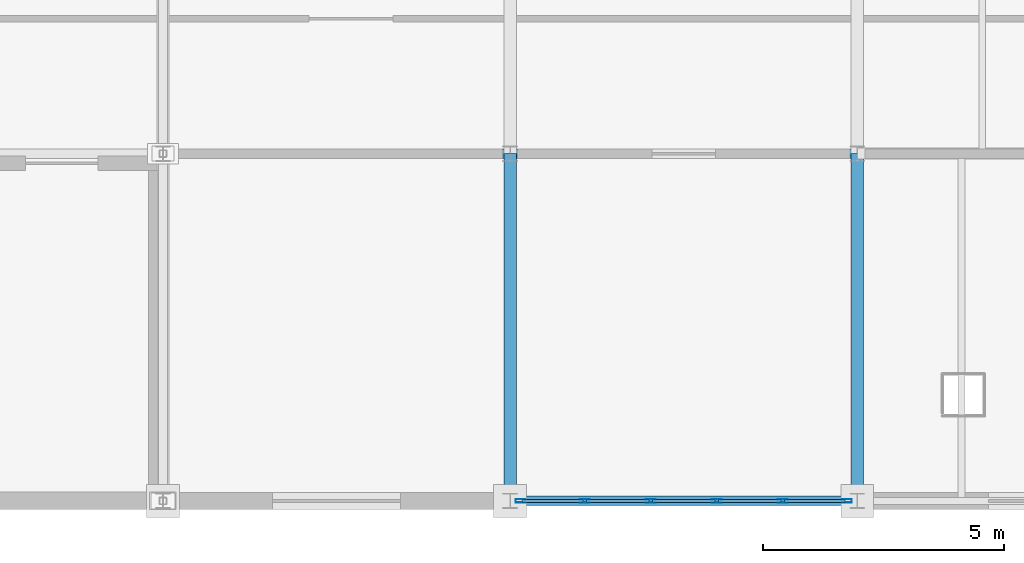
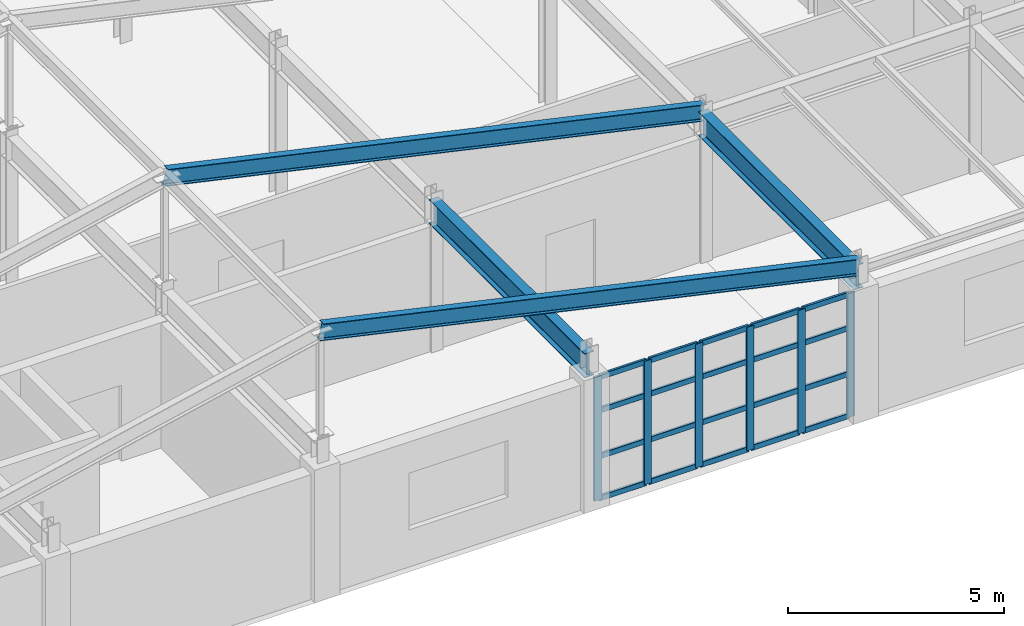
# One storey, part 77 of 137: 26 members, 4 beams, 1 element without a shape of its own.
"""IFC4 building model written with IfcOpenShell, lengths in metres."""

import ifcopenshell
import ifcopenshell.guid

model = None  # the IFC model being written
_history = None  # IfcOwnerHistory: only IFC2X3 demands one
_inside = {}  # id of a spatial element -> (the spatial element, [elements in it])
_under = {}  # id of a project, library or spatial element -> (it, [spatial elements below it])
_declared = {}  # id of a project -> (the project, [libraries it declares])
_typed = {}  # id of a type object -> (the type object, [elements of that type])
_made_of = {}  # id of a material, layer set ... -> (it, [elements and type objects made of it])


def new_model(schema):
    """Start an empty IFC model of exactly this schema.

    Asked for "IFC4X3", IfcOpenShell would pick the latest addendum, in which some entities
    have other attributes; the version numbers below select the first issue.
    IFC2X3 requires an IfcOwnerHistory on every rooted entity: one is made here for all.
    """
    global model, _history
    if schema == "IFC4X3":
        model = ifcopenshell.file(schema_version=(4, 3, 0, 0))
    else:
        model = ifcopenshell.file(schema=schema)
    _inside.clear()
    _under.clear()
    _declared.clear()
    _typed.clear()
    _made_of.clear()
    _history = None
    if model.schema == "IFC2X3":
        org = make("IfcOrganization", Name="unknown")
        user = make(
            "IfcPersonAndOrganization",
            ThePerson=make("IfcPerson", FamilyName="unknown"),
            TheOrganization=org,
        )
        app = make(
            "IfcApplication",
            ApplicationDeveloper=org,
            Version="unknown",
            ApplicationFullName="unknown",
            ApplicationIdentifier="unknown",
        )
        _history = make(
            "IfcOwnerHistory",
            OwningUser=user,
            OwningApplication=app,
            ChangeAction="ADDED",
            CreationDate=0,
        )
    return model


def make(cls, **values):
    """One entity of the class cls with the attributes given. An attribute that is None is left unset."""
    return model.create_entity(
        cls, **{name: value for name, value in values.items() if value is not None}
    )


def rooted(cls, **values):
    """An entity with a GlobalId (a new one), such as an element, a storey or a relation."""
    return make(cls, GlobalId=ifcopenshell.guid.new(), OwnerHistory=_history, **values)


def si_unit(unit_type, name, prefix=None):
    """IfcSIUnit, for example si_unit("LENGTHUNIT", "METRE", prefix="MILLI")."""
    return make("IfcSIUnit", UnitType=unit_type, Prefix=prefix, Name=name)


def assignment(units):
    """IfcUnitAssignment: the units of a project."""
    return None if units is None else make("IfcUnitAssignment", Units=units)


def point(xyz):
    """IfcCartesianPoint."""
    return None if xyz is None else make("IfcCartesianPoint", Coordinates=xyz)


def direction(xyz):
    """IfcDirection."""
    return None if xyz is None else make("IfcDirection", DirectionRatios=xyz)


def frame(location, z_axis=None, x_axis=None):
    """IfcAxis2Placement3D, a coordinate frame: its origin and axes. An axis left out is left unset."""
    return make(
        "IfcAxis2Placement3D",
        Location=point(location),
        Axis=direction(z_axis),
        RefDirection=direction(x_axis),
    )


def frame_2d(location, x_axis=None):
    """IfcAxis2Placement2D, a coordinate frame in the plane: its origin and x axis."""
    return make(
        "IfcAxis2Placement2D", Location=point(location), RefDirection=direction(x_axis)
    )


def origin():
    """The frame at (0, 0, 0) with its axes left unset."""
    return frame((0.0, 0.0, 0.0))


def origin_2d():
    """The frame at (0, 0) in the plane with its x axis left unset."""
    return frame_2d((0.0, 0.0))


def place(relative_to, where):
    """IfcLocalPlacement: puts the frame where relative to a parent placement (None: the world)."""
    return make(
        "IfcLocalPlacement", PlacementRelTo=relative_to, RelativePlacement=where
    )


def context(
    kind, dimensions, precision=None, world=None, true_north=None, identifier=None
):
    """IfcGeometricRepresentationContext, for example the 3D "Model" context."""
    return make(
        "IfcGeometricRepresentationContext",
        ContextIdentifier=identifier,
        ContextType=kind,
        CoordinateSpaceDimension=dimensions,
        Precision=precision,
        WorldCoordinateSystem=world,
        TrueNorth=true_north,
    )


def subcontext(parent, identifier, kind, view, scale=None):
    """IfcGeometricRepresentationSubContext, for example "Body" below "Model"."""
    return make(
        "IfcGeometricRepresentationSubContext",
        ContextIdentifier=identifier,
        ContextType=kind,
        ParentContext=parent,
        TargetScale=scale,
        TargetView=view,
    )


def project(units=None, contexts=None):
    """IfcProject with its units and contexts."""
    return rooted(
        "IfcProject",
        Name="project",
        RepresentationContexts=contexts,
        UnitsInContext=assignment(units),
    )


def spatial(cls, under=None, at=None, **own):
    """A site, building, storey or space (cls), placed at a placement, below another one or the project."""
    s = rooted(cls, ObjectPlacement=at, **own)
    if under is not None:
        _under.setdefault(under.id(), (under, []))[1].append(s)
    return s


def profile(cls, at=None, kind="AREA", **sizes):
    """A parametric profile (cls). Its sizes go by their IFC names, for example OverallWidth=200.0."""
    return make(cls, ProfileType=kind, Position=at, **sizes)


def hollow_rectangle(**sizes):
    """IfcRectangleHollowProfileDef."""
    return profile("IfcRectangleHollowProfileDef", **sizes)


def i_section(**sizes):
    """IfcIShapeProfileDef."""
    return profile("IfcIShapeProfileDef", **sizes)


def extrude(swept, where, along, depth):
    """IfcExtrudedAreaSolid: the profile swept, set in the frame where, extruded along a direction by depth."""
    return make(
        "IfcExtrudedAreaSolid",
        SweptArea=swept,
        Position=where,
        ExtrudedDirection=direction(along),
        Depth=depth,
    )


def shape(context_of_items, identifier, shape_type, items):
    """IfcShapeRepresentation: the items that make up one representation, for example the "Body"."""
    return make(
        "IfcShapeRepresentation",
        ContextOfItems=context_of_items,
        RepresentationIdentifier=identifier,
        RepresentationType=shape_type,
        Items=items,
    )


def material(Name=None, Category=None):
    """IfcMaterial."""
    return make("IfcMaterial", Name=Name, Category=Category)


def layer(
    of_material, thickness, ventilated=None, Name=None, Category=None, Priority=None
):
    """IfcMaterialLayer: one layer of a wall or slab, of a material (None: an air gap)."""
    return make(
        "IfcMaterialLayer",
        Material=of_material,
        LayerThickness=thickness,
        IsVentilated=ventilated,
        Name=Name,
        Category=Category,
        Priority=Priority,
    )


def layer_set(layers, Name=None):
    """IfcMaterialLayerSet."""
    return make("IfcMaterialLayerSet", MaterialLayers=layers, LayerSetName=Name)


def material_profile(
    of_material, cross_section, Name=None, Category=None, Priority=None
):
    """IfcMaterialProfile: a cross section and its material."""
    return make(
        "IfcMaterialProfile",
        Name=Name,
        Material=of_material,
        Profile=cross_section,
        Priority=Priority,
        Category=Category,
    )


def profile_set(profiles, Name=None, composite=None):
    """IfcMaterialProfileSet."""
    return make(
        "IfcMaterialProfileSet",
        Name=Name,
        MaterialProfiles=profiles,
        CompositeProfile=composite,
    )


def made_of(thing, what):
    """Note that an element or type object is made of a material, layer set ...; save() writes the relation."""
    if what is not None:
        _made_of.setdefault(what.id(), (what, []))[1].append(thing)
    return thing


def type_object(cls, material=None, **own):
    """A type object (cls), such as IfcWallType, which elements share."""
    return made_of(rooted(cls, **own), material)


def element(
    cls,
    number,
    at=None,
    inside=None,
    cuts=None,
    type_object=None,
    material=None,
    context=None,
    identifier="Body",
    shape_type=None,
    held_by="IfcProductDefinitionShape",
    body=None,
    shapes=None,
    **own,
):
    """One element of the class cls, such as IfcWall. Its Tag is "e" and its number.

    at: its placement. inside: the storey or other place that contains it. cuts: it is an
    opening in that element (IfcRelVoidsElement). A single representation is given by context,
    identifier, shape_type and body (its items); several are given by shapes. held_by: the class
    of the entity that holds the representations. save() writes the other relations.
    """
    e = rooted(cls, Tag="e%d" % number, ObjectPlacement=at, **own)
    if body is not None:
        shapes = [shape(context, identifier, shape_type, body)]
    if shapes is not None:
        e.Representation = make(held_by, Representations=shapes)
    if inside is not None:
        _inside.setdefault(inside.id(), (inside, []))[1].append(e)
    if cuts is not None:
        rooted(
            "IfcRelVoidsElement", RelatingBuildingElement=cuts, RelatedOpeningElement=e
        )
    if type_object is not None:
        _typed.setdefault(type_object.id(), (type_object, []))[1].append(e)
    return made_of(e, material)


def aggregate(whole, parts):
    """IfcRelAggregates: a whole, such as a stair, and the parts it consists of."""
    return rooted("IfcRelAggregates", RelatingObject=whole, RelatedObjects=parts)


def save(model, path):
    """Write the relations noted so far, then the file.

    IfcRelAggregates (storeys below a building ...), IfcRelContainedInSpatialStructure (elements
    in a storey), IfcRelDefinesByType, IfcRelAssociatesMaterial and IfcRelDeclares: one each for
    every whole, place, type object, material and project.
    """
    for whole, parts in _under.values():
        aggregate(whole, parts)
    for where, things in _inside.values():
        rooted(
            "IfcRelContainedInSpatialStructure",
            RelatedElements=things,
            RelatingStructure=where,
        )
    for kind, things in _typed.values():
        rooted("IfcRelDefinesByType", RelatedObjects=things, RelatingType=kind)
    for what, things in _made_of.values():
        rooted("IfcRelAssociatesMaterial", RelatedObjects=things, RelatingMaterial=what)
    for by, libraries in _declared.values():
        rooted("IfcRelDeclares", RelatingContext=by, RelatedDefinitions=libraries)
    model.write(path)


model = new_model("IFC4")

# Units and contexts
model_context = context("Model", 3, precision=1e-05, world=origin(), true_north=direction((0.0, 1.0)))
body_context = subcontext(model_context, "Body", "Model", "MODEL_VIEW")
ifc_project = project(units=[si_unit("LENGTHUNIT", "METRE"), si_unit("AREAUNIT", "SQUARE_METRE"), si_unit("VOLUMEUNIT", "CUBIC_METRE"), si_unit("PLANEANGLEUNIT", "RADIAN"), si_unit("MASSUNIT", "GRAM", prefix="KILO")], contexts=[model_context])

# Site, building, storey
site_placement = place(None, origin())
site = spatial("IfcSite", under=ifc_project, at=site_placement, CompositionType="ELEMENT")
building_placement = place(site_placement, origin())
building = spatial("IfcBuilding", under=site, at=building_placement, Name="Kemerveld Promenade Tramway Depot", CompositionType="ELEMENT")
storey_placement = place(building_placement, frame((0.0, 0.0, 5.39990234375)))
storey = spatial("IfcBuildingStorey", under=building, at=storey_placement, Name="L01", CompositionType="ELEMENT", Elevation=5.39990234375)

# Beams
ifc_material_1 = material(Name="Steel S355", Category="steel")
ifc_material_profile_1 = material_profile(ifc_material_1, i_section(OverallWidth=0.25439453125, OverallDepth=0.6875, WebThickness=0.01318359375, FlangeThickness=0.02099609375, FilletRadius=0.01513671875, at=origin_2d()), Name="686x254x152 UB")
ifc_profile_set_1 = profile_set([ifc_material_profile_1], Name="Steel S355")
beam_type_1 = type_object("IfcBeamType", Name="BM-G03", PredefinedType="BEAM", material=ifc_profile_set_1)
for number, where, z_axis, x_axis, name in (
    (1, (180.0, 0.0, 3.896484375), (0.0, 1.0, 0.0), (-1.0, 0.0, 0.0), "BMY-L01-26-A-B"),
    (2, (187.199951171875, 0.0, 3.856201171875), (0.0, 1.0, 0.0), (-1.0, 0.0, 0.0), "BMY-L01-27-A-B"),
):
    element("IfcBeam", number, at=place(storey_placement, frame(where, z_axis=z_axis, x_axis=x_axis)), inside=storey, type_object=beam_type_1, Name=name, PredefinedType="BEAM", context=body_context, shape_type="SweptSolid", body=[
        extrude(i_section(OverallWidth=0.25439453125, OverallDepth=0.6875, WebThickness=0.01318359375, FlangeThickness=0.02099609375, FilletRadius=0.01513671875, at=origin_2d()), origin(), (0.0, 0.0, 1.0), 7.199951171875),
    ])
ifc_material_profile_2 = material_profile(ifc_material_1, i_section(OverallWidth=0.19140625, OverallDepth=0.4599609375, WebThickness=0.010009765625, FlangeThickness=0.01611328125, FilletRadius=0.01025390625, at=origin_2d()), Name="457x191x82 UB")
ifc_profile_set_2 = profile_set([ifc_material_profile_2], Name="Steel S355")
beam_type_2 = type_object("IfcBeamType", Name="BM-G06", PredefinedType="BEAM", material=ifc_profile_set_2)
for number, where, z_axis, x_axis, name in (
    (3, (172.800048828125, 0.0, 7.375), (0.976187449608, 0.0, -0.216928705402), (0.0, 1.0, 0.0), "RAF-V2W-A-B"),
    (4, (172.800048828125, 7.199951171875, 7.375), (0.976187449608, 0.0, -0.216928705402), (0.0, 1.0, 0.0), "RAF-V2W-B-B"),
):
    element("IfcBeam", number, at=place(storey_placement, frame(where, z_axis=z_axis, x_axis=x_axis)), inside=storey, type_object=beam_type_2, Name=name, PredefinedType="BEAM", context=body_context, shape_type="SweptSolid", body=[
        extrude(i_section(OverallWidth=0.19140625, OverallDepth=0.4599609375, WebThickness=0.010009765625, FlangeThickness=0.01611328125, FilletRadius=0.01025390625, at=origin_2d()), origin(), (0.0, 0.0, 1.0), 14.751220703125),
    ])

# Curtain wall, members
ifc_material_2 = material(Name="Bronze anodised aluminium and solar glass", Category="aluminium")
ifc_layer = layer(ifc_material_2, 0.199951171875)
ifc_layer_set = layer_set([ifc_layer], Name="CW-SYS-08")
curtain_wall_type = type_object("IfcCurtainWallType", Name="CW-SYS-08", PredefinedType="USERDEFINED", material=ifc_layer_set)
curtain_wall_placement = place(storey_placement, origin())
curtain_wall = element("IfcCurtainWall", 5, at=curtain_wall_placement, inside=storey, type_object=curtain_wall_type, Name="CW-L01-V2S-05", ObjectType="GLAZED_CURTAIN_WALL", PredefinedType="USERDEFINED")
ifc_material_3 = material(Name="Bronze anodised aluminium", Category="aluminium")
ifc_material_profile_3 = material_profile(ifc_material_3, hollow_rectangle(XDim=0.074951171875, YDim=0.199951171875, WallThickness=0.0048828125, InnerFilletRadius=0.001953125, OuterFilletRadius=0.0048828125, at=origin_2d()), Name="CW-MUL-200x75")
ifc_profile_set_3 = profile_set([ifc_material_profile_3], Name="Bronze anodised aluminium")
member_type_1 = type_object("IfcMemberType", Name="CW-MUL-B", PredefinedType="MULLION", material=ifc_profile_set_3)
member_1_placement = place(storey_placement, frame((186.9853515625, 0.0, 0.0), z_axis=(0.0, 0.0, 1.0), x_axis=(0.0, -1.0, 0.0)))
member_1 = element("IfcMember", 6, at=member_1_placement, type_object=member_type_1, Name="CW08 mullion 1", PredefinedType="MULLION", context=body_context, shape_type="SweptSolid", body=[
    extrude(hollow_rectangle(XDim=0.074951171875, YDim=0.199951171875, WallThickness=0.0048828125, InnerFilletRadius=0.001953125, OuterFilletRadius=0.0048828125, at=origin_2d()), origin(), (0.0, 0.0, 1.0), 3.49267578125),
])
member_2_placement = place(storey_placement, frame((185.653564453125, 0.0, 0.0), z_axis=(0.0, 0.0, 1.0), x_axis=(0.0, -1.0, 0.0)))
member_2 = element("IfcMember", 7, at=member_2_placement, type_object=member_type_1, Name="CW08 mullion 2", PredefinedType="MULLION", context=body_context, shape_type="SweptSolid", body=[
    extrude(hollow_rectangle(XDim=0.074951171875, YDim=0.199951171875, WallThickness=0.0048828125, InnerFilletRadius=0.001953125, OuterFilletRadius=0.0048828125, at=origin_2d()), origin(), (0.0, 0.0, 1.0), 3.49267578125),
])
member_3_placement = place(storey_placement, frame((184.28466796875, 0.0, 0.0), z_axis=(0.0, 0.0, 1.0), x_axis=(0.0, -1.0, 0.0)))
member_3 = element("IfcMember", 8, at=member_3_placement, type_object=member_type_1, Name="CW08 mullion 3", PredefinedType="MULLION", context=body_context, shape_type="SweptSolid", body=[
    extrude(hollow_rectangle(XDim=0.074951171875, YDim=0.199951171875, WallThickness=0.0048828125, InnerFilletRadius=0.001953125, OuterFilletRadius=0.0048828125, at=origin_2d()), origin(), (0.0, 0.0, 1.0), 3.49267578125),
])
member_4_placement = place(storey_placement, frame((182.91552734375, 0.0, 0.0), z_axis=(0.0, 0.0, 1.0), x_axis=(0.0, -1.0, 0.0)))
member_4 = element("IfcMember", 9, at=member_4_placement, type_object=member_type_1, Name="CW08 mullion 4", PredefinedType="MULLION", context=body_context, shape_type="SweptSolid", body=[
    extrude(hollow_rectangle(XDim=0.074951171875, YDim=0.199951171875, WallThickness=0.0048828125, InnerFilletRadius=0.001953125, OuterFilletRadius=0.0048828125, at=origin_2d()), origin(), (0.0, 0.0, 1.0), 3.49267578125),
])
member_5_placement = place(storey_placement, frame((181.54638671875, 0.0, 0.0), z_axis=(0.0, 0.0, 1.0), x_axis=(0.0, -1.0, 0.0)))
member_5 = element("IfcMember", 10, at=member_5_placement, type_object=member_type_1, Name="CW08 mullion 5", PredefinedType="MULLION", context=body_context, shape_type="SweptSolid", body=[
    extrude(hollow_rectangle(XDim=0.074951171875, YDim=0.199951171875, WallThickness=0.0048828125, InnerFilletRadius=0.001953125, OuterFilletRadius=0.0048828125, at=origin_2d()), origin(), (0.0, 0.0, 1.0), 3.49267578125),
])
member_6_placement = place(storey_placement, frame((180.214599609375, 0.0, 0.0), z_axis=(0.0, 0.0, 1.0), x_axis=(0.0, -1.0, 0.0)))
member_6 = element("IfcMember", 11, at=member_6_placement, type_object=member_type_1, Name="CW08 mullion 6", PredefinedType="MULLION", context=body_context, shape_type="SweptSolid", body=[
    extrude(hollow_rectangle(XDim=0.074951171875, YDim=0.199951171875, WallThickness=0.0048828125, InnerFilletRadius=0.001953125, OuterFilletRadius=0.0048828125, at=origin_2d()), origin(), (0.0, 0.0, 1.0), 3.49267578125),
])
ifc_material_profile_4 = material_profile(ifc_material_3, hollow_rectangle(XDim=0.06494140625, YDim=0.14990234375, WallThickness=0.00439453125, InnerFilletRadius=0.001953125, OuterFilletRadius=0.00439453125, at=origin_2d()), Name="CW-TRN-150x65")
ifc_profile_set_4 = profile_set([ifc_material_profile_4], Name="Bronze anodised aluminium")
member_type_2 = type_object("IfcMemberType", Name="CW-TRN-B", PredefinedType="USERDEFINED", material=ifc_profile_set_4)
member_7_placement = place(storey_placement, frame((186.94775390625, 0.0, 0.03271484375), z_axis=(-1.0, 0.0, 0.0), x_axis=(0.0, -1.0, 0.0)))
member_7 = element("IfcMember", 12, at=member_7_placement, type_object=member_type_2, Name="CW08 transom 1.1", ObjectType="TRANSOM", PredefinedType="USERDEFINED", context=body_context, shape_type="SweptSolid", body=[
    extrude(hollow_rectangle(XDim=0.06494140625, YDim=0.14990234375, WallThickness=0.00439453125, InnerFilletRadius=0.001953125, OuterFilletRadius=0.00439453125, at=origin_2d()), origin(), (0.0, 0.0, 1.0), 1.256591796875),
])
member_8_placement = place(storey_placement, frame((186.94775390625, 0.0, 1.22216796875), z_axis=(-1.0, 0.0, 0.0), x_axis=(0.0, -1.0, 0.0)))
member_8 = element("IfcMember", 13, at=member_8_placement, type_object=member_type_2, Name="CW08 transom 1.2", ObjectType="TRANSOM", PredefinedType="USERDEFINED", context=body_context, shape_type="SweptSolid", body=[
    extrude(hollow_rectangle(XDim=0.06494140625, YDim=0.14990234375, WallThickness=0.00439453125, InnerFilletRadius=0.001953125, OuterFilletRadius=0.00439453125, at=origin_2d()), origin(), (0.0, 0.0, 1.0), 1.256591796875),
])
member_9_placement = place(storey_placement, frame((186.94775390625, 0.0, 2.51513671875), z_axis=(-1.0, 0.0, 0.0), x_axis=(0.0, -1.0, 0.0)))
member_9 = element("IfcMember", 14, at=member_9_placement, type_object=member_type_2, Name="CW08 transom 1.3", ObjectType="TRANSOM", PredefinedType="USERDEFINED", context=body_context, shape_type="SweptSolid", body=[
    extrude(hollow_rectangle(XDim=0.06494140625, YDim=0.14990234375, WallThickness=0.00439453125, InnerFilletRadius=0.001953125, OuterFilletRadius=0.00439453125, at=origin_2d()), origin(), (0.0, 0.0, 1.0), 1.256591796875),
])
member_10_placement = place(storey_placement, frame((186.94775390625, 0.0, 3.460205078125), z_axis=(-1.0, 0.0, 0.0), x_axis=(0.0, -1.0, 0.0)))
member_10 = element("IfcMember", 15, at=member_10_placement, type_object=member_type_2, Name="CW08 transom 1.4", ObjectType="TRANSOM", PredefinedType="USERDEFINED", context=body_context, shape_type="SweptSolid", body=[
    extrude(hollow_rectangle(XDim=0.06494140625, YDim=0.14990234375, WallThickness=0.00439453125, InnerFilletRadius=0.001953125, OuterFilletRadius=0.00439453125, at=origin_2d()), origin(), (0.0, 0.0, 1.0), 1.256591796875),
])
member_11_placement = place(storey_placement, frame((185.6162109375, 0.0, 0.03271484375), z_axis=(-1.0, 0.0, 0.0), x_axis=(0.0, -1.0, 0.0)))
member_11 = element("IfcMember", 16, at=member_11_placement, type_object=member_type_2, Name="CW08 transom 2.1", ObjectType="TRANSOM", PredefinedType="USERDEFINED", context=body_context, shape_type="SweptSolid", body=[
    extrude(hollow_rectangle(XDim=0.06494140625, YDim=0.14990234375, WallThickness=0.00439453125, InnerFilletRadius=0.001953125, OuterFilletRadius=0.00439453125, at=origin_2d()), origin(), (0.0, 0.0, 1.0), 1.294189453125),
])
member_12_placement = place(storey_placement, frame((185.6162109375, 0.0, 1.22216796875), z_axis=(-1.0, 0.0, 0.0), x_axis=(0.0, -1.0, 0.0)))
member_12 = element("IfcMember", 17, at=member_12_placement, type_object=member_type_2, Name="CW08 transom 2.2", ObjectType="TRANSOM", PredefinedType="USERDEFINED", context=body_context, shape_type="SweptSolid", body=[
    extrude(hollow_rectangle(XDim=0.06494140625, YDim=0.14990234375, WallThickness=0.00439453125, InnerFilletRadius=0.001953125, OuterFilletRadius=0.00439453125, at=origin_2d()), origin(), (0.0, 0.0, 1.0), 1.294189453125),
])
member_13_placement = place(storey_placement, frame((185.6162109375, 0.0, 2.51513671875), z_axis=(-1.0, 0.0, 0.0), x_axis=(0.0, -1.0, 0.0)))
member_13 = element("IfcMember", 18, at=member_13_placement, type_object=member_type_2, Name="CW08 transom 2.3", ObjectType="TRANSOM", PredefinedType="USERDEFINED", context=body_context, shape_type="SweptSolid", body=[
    extrude(hollow_rectangle(XDim=0.06494140625, YDim=0.14990234375, WallThickness=0.00439453125, InnerFilletRadius=0.001953125, OuterFilletRadius=0.00439453125, at=origin_2d()), origin(), (0.0, 0.0, 1.0), 1.294189453125),
])
member_14_placement = place(storey_placement, frame((185.6162109375, 0.0, 3.460205078125), z_axis=(-1.0, 0.0, 0.0), x_axis=(0.0, -1.0, 0.0)))
member_14 = element("IfcMember", 19, at=member_14_placement, type_object=member_type_2, Name="CW08 transom 2.4", ObjectType="TRANSOM", PredefinedType="USERDEFINED", context=body_context, shape_type="SweptSolid", body=[
    extrude(hollow_rectangle(XDim=0.06494140625, YDim=0.14990234375, WallThickness=0.00439453125, InnerFilletRadius=0.001953125, OuterFilletRadius=0.00439453125, at=origin_2d()), origin(), (0.0, 0.0, 1.0), 1.294189453125),
])
member_15_placement = place(storey_placement, frame((184.2470703125, 0.0, 0.03271484375), z_axis=(-1.0, 0.0, 0.0), x_axis=(0.0, -1.0, 0.0)))
member_15 = element("IfcMember", 20, at=member_15_placement, type_object=member_type_2, Name="CW08 transom 3.1", ObjectType="TRANSOM", PredefinedType="USERDEFINED", context=body_context, shape_type="SweptSolid", body=[
    extrude(hollow_rectangle(XDim=0.06494140625, YDim=0.14990234375, WallThickness=0.00439453125, InnerFilletRadius=0.001953125, OuterFilletRadius=0.00439453125, at=origin_2d()), origin(), (0.0, 0.0, 1.0), 1.294189453125),
])
member_16_placement = place(storey_placement, frame((184.2470703125, 0.0, 1.22216796875), z_axis=(-1.0, 0.0, 0.0), x_axis=(0.0, -1.0, 0.0)))
member_16 = element("IfcMember", 21, at=member_16_placement, type_object=member_type_2, Name="CW08 transom 3.2", ObjectType="TRANSOM", PredefinedType="USERDEFINED", context=body_context, shape_type="SweptSolid", body=[
    extrude(hollow_rectangle(XDim=0.06494140625, YDim=0.14990234375, WallThickness=0.00439453125, InnerFilletRadius=0.001953125, OuterFilletRadius=0.00439453125, at=origin_2d()), origin(), (0.0, 0.0, 1.0), 1.294189453125),
])
member_17_placement = place(storey_placement, frame((184.2470703125, 0.0, 2.51513671875), z_axis=(-1.0, 0.0, 0.0), x_axis=(0.0, -1.0, 0.0)))
member_17 = element("IfcMember", 22, at=member_17_placement, type_object=member_type_2, Name="CW08 transom 3.3", ObjectType="TRANSOM", PredefinedType="USERDEFINED", context=body_context, shape_type="SweptSolid", body=[
    extrude(hollow_rectangle(XDim=0.06494140625, YDim=0.14990234375, WallThickness=0.00439453125, InnerFilletRadius=0.001953125, OuterFilletRadius=0.00439453125, at=origin_2d()), origin(), (0.0, 0.0, 1.0), 1.294189453125),
])
member_18_placement = place(storey_placement, frame((184.2470703125, 0.0, 3.460205078125), z_axis=(-1.0, 0.0, 0.0), x_axis=(0.0, -1.0, 0.0)))
member_18 = element("IfcMember", 23, at=member_18_placement, type_object=member_type_2, Name="CW08 transom 3.4", ObjectType="TRANSOM", PredefinedType="USERDEFINED", context=body_context, shape_type="SweptSolid", body=[
    extrude(hollow_rectangle(XDim=0.06494140625, YDim=0.14990234375, WallThickness=0.00439453125, InnerFilletRadius=0.001953125, OuterFilletRadius=0.00439453125, at=origin_2d()), origin(), (0.0, 0.0, 1.0), 1.294189453125),
])
member_19_placement = place(storey_placement, frame((182.8779296875, 0.0, 0.03271484375), z_axis=(-1.0, 0.0, 0.0), x_axis=(0.0, -1.0, 0.0)))
member_19 = element("IfcMember", 24, at=member_19_placement, type_object=member_type_2, Name="CW08 transom 4.1", ObjectType="TRANSOM", PredefinedType="USERDEFINED", context=body_context, shape_type="SweptSolid", body=[
    extrude(hollow_rectangle(XDim=0.06494140625, YDim=0.14990234375, WallThickness=0.00439453125, InnerFilletRadius=0.001953125, OuterFilletRadius=0.00439453125, at=origin_2d()), origin(), (0.0, 0.0, 1.0), 1.294189453125),
])
member_20_placement = place(storey_placement, frame((182.8779296875, 0.0, 1.22216796875), z_axis=(-1.0, 0.0, 0.0), x_axis=(0.0, -1.0, 0.0)))
member_20 = element("IfcMember", 25, at=member_20_placement, type_object=member_type_2, Name="CW08 transom 4.2", ObjectType="TRANSOM", PredefinedType="USERDEFINED", context=body_context, shape_type="SweptSolid", body=[
    extrude(hollow_rectangle(XDim=0.06494140625, YDim=0.14990234375, WallThickness=0.00439453125, InnerFilletRadius=0.001953125, OuterFilletRadius=0.00439453125, at=origin_2d()), origin(), (0.0, 0.0, 1.0), 1.294189453125),
])
member_21_placement = place(storey_placement, frame((182.8779296875, 0.0, 2.51513671875), z_axis=(-1.0, 0.0, 0.0), x_axis=(0.0, -1.0, 0.0)))
member_21 = element("IfcMember", 26, at=member_21_placement, type_object=member_type_2, Name="CW08 transom 4.3", ObjectType="TRANSOM", PredefinedType="USERDEFINED", context=body_context, shape_type="SweptSolid", body=[
    extrude(hollow_rectangle(XDim=0.06494140625, YDim=0.14990234375, WallThickness=0.00439453125, InnerFilletRadius=0.001953125, OuterFilletRadius=0.00439453125, at=origin_2d()), origin(), (0.0, 0.0, 1.0), 1.294189453125),
])
member_22_placement = place(storey_placement, frame((182.8779296875, 0.0, 3.460205078125), z_axis=(-1.0, 0.0, 0.0), x_axis=(0.0, -1.0, 0.0)))
member_22 = element("IfcMember", 27, at=member_22_placement, type_object=member_type_2, Name="CW08 transom 4.4", ObjectType="TRANSOM", PredefinedType="USERDEFINED", context=body_context, shape_type="SweptSolid", body=[
    extrude(hollow_rectangle(XDim=0.06494140625, YDim=0.14990234375, WallThickness=0.00439453125, InnerFilletRadius=0.001953125, OuterFilletRadius=0.00439453125, at=origin_2d()), origin(), (0.0, 0.0, 1.0), 1.294189453125),
])
member_23_placement = place(storey_placement, frame((181.5087890625, 0.0, 0.03271484375), z_axis=(-1.0, 0.0, 0.0), x_axis=(0.0, -1.0, 0.0)))
member_23 = element("IfcMember", 28, at=member_23_placement, type_object=member_type_2, Name="CW08 transom 5.1", ObjectType="TRANSOM", PredefinedType="USERDEFINED", context=body_context, shape_type="SweptSolid", body=[
    extrude(hollow_rectangle(XDim=0.06494140625, YDim=0.14990234375, WallThickness=0.00439453125, InnerFilletRadius=0.001953125, OuterFilletRadius=0.00439453125, at=origin_2d()), origin(), (0.0, 0.0, 1.0), 1.256591796875),
])
member_24_placement = place(storey_placement, frame((181.5087890625, 0.0, 1.22216796875), z_axis=(-1.0, 0.0, 0.0), x_axis=(0.0, -1.0, 0.0)))
member_24 = element("IfcMember", 29, at=member_24_placement, type_object=member_type_2, Name="CW08 transom 5.2", ObjectType="TRANSOM", PredefinedType="USERDEFINED", context=body_context, shape_type="SweptSolid", body=[
    extrude(hollow_rectangle(XDim=0.06494140625, YDim=0.14990234375, WallThickness=0.00439453125, InnerFilletRadius=0.001953125, OuterFilletRadius=0.00439453125, at=origin_2d()), origin(), (0.0, 0.0, 1.0), 1.256591796875),
])
member_25_placement = place(storey_placement, frame((181.5087890625, 0.0, 2.51513671875), z_axis=(-1.0, 0.0, 0.0), x_axis=(0.0, -1.0, 0.0)))
member_25 = element("IfcMember", 30, at=member_25_placement, type_object=member_type_2, Name="CW08 transom 5.3", ObjectType="TRANSOM", PredefinedType="USERDEFINED", context=body_context, shape_type="SweptSolid", body=[
    extrude(hollow_rectangle(XDim=0.06494140625, YDim=0.14990234375, WallThickness=0.00439453125, InnerFilletRadius=0.001953125, OuterFilletRadius=0.00439453125, at=origin_2d()), origin(), (0.0, 0.0, 1.0), 1.256591796875),
])
member_26_placement = place(storey_placement, frame((181.5087890625, 0.0, 3.460205078125), z_axis=(-1.0, 0.0, 0.0), x_axis=(0.0, -1.0, 0.0)))
member_26 = element("IfcMember", 31, at=member_26_placement, type_object=member_type_2, Name="CW08 transom 5.4", ObjectType="TRANSOM", PredefinedType="USERDEFINED", context=body_context, shape_type="SweptSolid", body=[
    extrude(hollow_rectangle(XDim=0.06494140625, YDim=0.14990234375, WallThickness=0.00439453125, InnerFilletRadius=0.001953125, OuterFilletRadius=0.00439453125, at=origin_2d()), origin(), (0.0, 0.0, 1.0), 1.256591796875),
])
aggregate(curtain_wall, [member_1, member_2, member_3, member_4, member_5, member_6, member_7, member_8, member_9, member_10, member_11, member_12, member_13, member_14, member_15, member_16, member_17, member_18, member_19, member_20, member_21, member_22, member_23, member_24, member_25, member_26])

save(model, "model.ifc")
